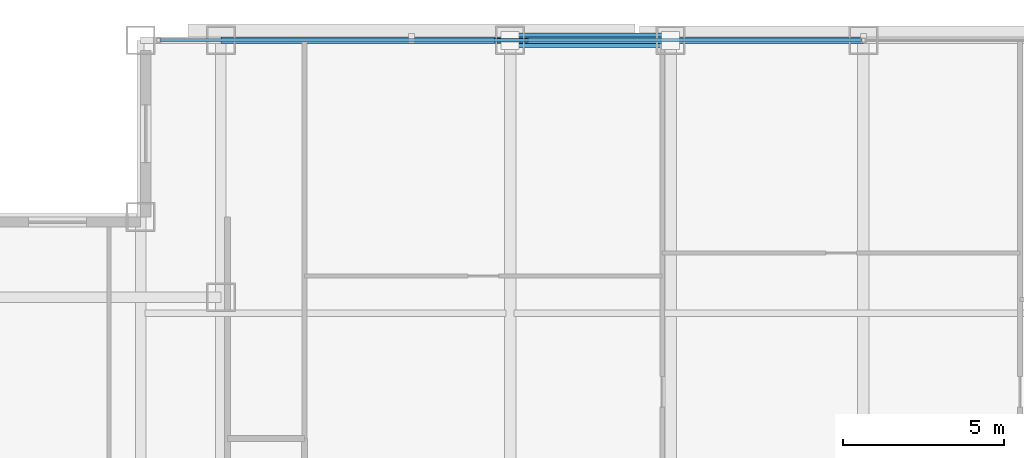
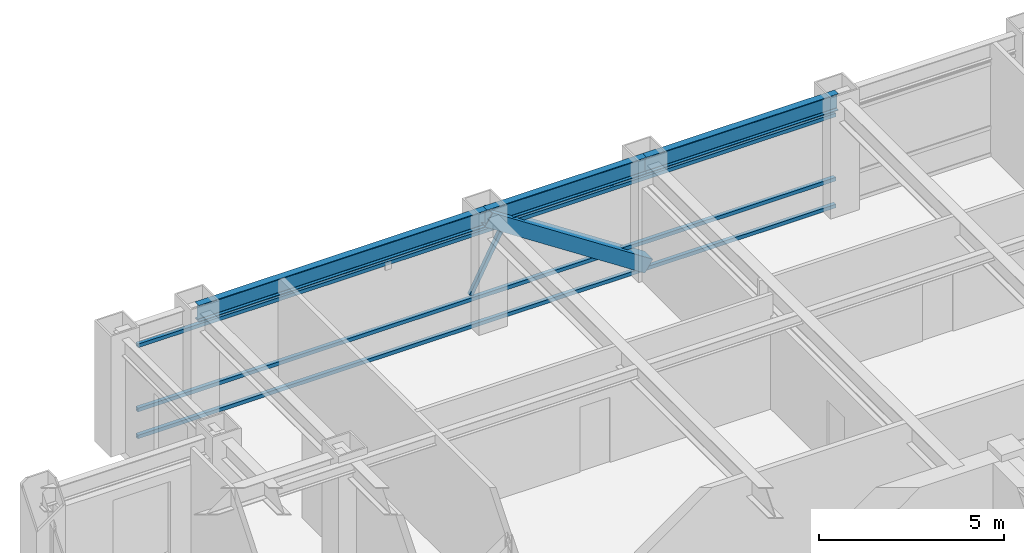
# One storey, part 13 of 27: 5 members, 3 beams, 1 element without a shape of its own.
"""IFC4 building model written with IfcOpenShell, lengths in metres."""

from ifc_helpers import new_model, si_unit, direction, frame, origin, origin_2d, place, context, subcontext, project, spatial, hollow_rectangle, i_section, extrude, source, transform, mapped, material, material_profile, profile_set, type_object, element, aggregate, save


model = new_model("IFC4")

# Units and contexts
model_context = context("Model", 3, precision=1e-05, world=origin(), true_north=direction((0.0, 1.0)))
body_context = subcontext(model_context, "Body", "Model", "MODEL_VIEW")
ifc_project = project(units=[si_unit("LENGTHUNIT", "METRE"), si_unit("AREAUNIT", "SQUARE_METRE"), si_unit("VOLUMEUNIT", "CUBIC_METRE"), si_unit("PLANEANGLEUNIT", "RADIAN"), si_unit("MASSUNIT", "GRAM", prefix="KILO")], contexts=[model_context])

# Site, building, storey
site_placement = place(None, origin())
site = spatial("IfcSite", under=ifc_project, at=site_placement, CompositionType="ELEMENT")
building_placement = place(site_placement, origin())
building = spatial("IfcBuilding", under=site, at=building_placement, Name="Khorayat Bourse Tower", CompositionType="ELEMENT")
storey_placement = place(building_placement, frame((0.0, 0.0, 285.5)))
storey = spatial("IfcBuildingStorey", under=building, at=storey_placement, Name="L67", CompositionType="ELEMENT", Elevation=285.5)

# Member
ifc_material_1 = material(Name="Steel EN 10025-4 S460M", Category="steel")
ifc_material_profile_1 = material_profile(ifc_material_1, hollow_rectangle(XDim=0.449951171875, YDim=0.449951171875, WallThickness=0.02490234375, at=origin_2d()), Name="HSS 450x450x25")
ifc_profile_set_1 = profile_set([ifc_material_profile_1], Name="Steel EN 10025-4 S460M")
member_type_1 = type_object("IfcMemberType", Name="MBR-TUBE-450", PredefinedType="BRACE", material=ifc_profile_set_1)
shared_shape_1 = source(origin(), body_context, "Body", "SweptSolid", [
    extrude(hollow_rectangle(XDim=0.449951171875, YDim=0.449951171875, WallThickness=0.02490234375, at=origin_2d()), origin(), (0.0, 0.0, 1.0), 5.979736328125),
])
member_1_placement = place(storey_placement, frame((-11.0, 28.0, 3.530029296875), z_axis=(0.836141536525, 0.0, -0.548513747227), x_axis=(0.0, 1.0, 0.0)))
element("IfcMember", 1, at=member_1_placement, inside=storey, type_object=member_type_1, Name="L67 Perimeter Tube Brace 03", PredefinedType="BRACE", context=body_context, shape_type="MappedRepresentation", body=[
    mapped(shared_shape_1, transform((0.0, 0.0, 0.0), scale=1.0)),
])

# Beams
ifc_material_2 = material(Name="Steel ASTM A992 Grade 50", Category="steel")
ifc_material_profile_2 = material_profile(ifc_material_2, i_section(OverallWidth=0.214111328125, OverallDepth=0.549072265625, WebThickness=0.0146484375, FlangeThickness=0.023681640625, FilletRadius=0.013916015625, at=origin_2d()), Name="W530X138")
ifc_profile_set_2 = profile_set([ifc_material_profile_2], Name="Steel ASTM A992 Grade 50")
beam_type = type_object("IfcBeamType", Name="BM-SPAN-530", PredefinedType="SPANDREL", material=ifc_profile_set_2)
shared_shape_2 = source(origin(), body_context, "Body", "SweptSolid", [
    extrude(i_section(OverallWidth=0.214111328125, OverallDepth=0.549072265625, WebThickness=0.0146484375, FlangeThickness=0.023681640625, FilletRadius=0.013916015625, at=origin_2d()), origin(), (0.0, 0.0, 1.0), 9.0),
])
beam_1_placement = place(storey_placement, frame((-20.0, 28.0, 3.505615234375), z_axis=(1.0, 0.0, 0.0), x_axis=(0.0, 1.0, 0.0)))
element("IfcBeam", 2, at=beam_1_placement, inside=storey, type_object=beam_type, Name="L67 BM-SPAN-530 BM-L67-SPN-050", PredefinedType="SPANDREL", context=body_context, shape_type="MappedRepresentation", body=[
    mapped(shared_shape_2, transform((0.0, 0.0, 0.0), scale=1.0)),
])
shared_shape_3 = source(origin(), body_context, "Body", "SweptSolid", [
    extrude(i_section(OverallWidth=0.214111328125, OverallDepth=0.549072265625, WebThickness=0.0146484375, FlangeThickness=0.023681640625, FilletRadius=0.013916015625, at=origin_2d()), origin(), (0.0, 0.0, 1.0), 5.0),
])
beam_2_placement = place(storey_placement, frame((-11.0, 28.0, 3.505615234375), z_axis=(1.0, 0.0, 0.0), x_axis=(0.0, 1.0, 0.0)))
element("IfcBeam", 3, at=beam_2_placement, inside=storey, type_object=beam_type, Name="L67 BM-SPAN-530 BM-L67-SPN-049", PredefinedType="SPANDREL", context=body_context, shape_type="MappedRepresentation", body=[
    mapped(shared_shape_3, transform((0.0, 0.0, 0.0), scale=1.0)),
])
shared_shape_4 = source(origin(), body_context, "Body", "SweptSolid", [
    extrude(i_section(OverallWidth=0.214111328125, OverallDepth=0.549072265625, WebThickness=0.0146484375, FlangeThickness=0.023681640625, FilletRadius=0.013916015625, at=origin_2d()), origin(), (0.0, 0.0, 1.0), 6.0),
])
beam_3_placement = place(storey_placement, frame((-6.0, 28.0, 3.505615234375), z_axis=(1.0, 0.0, 0.0), x_axis=(0.0, 1.0, 0.0)))
element("IfcBeam", 4, at=beam_3_placement, inside=storey, type_object=beam_type, Name="L67 BM-SPAN-530 BM-L67-SPN-048", PredefinedType="SPANDREL", context=body_context, shape_type="MappedRepresentation", body=[
    mapped(shared_shape_4, transform((0.0, 0.0, 0.0), scale=1.0)),
])

# Curtain wall, members
ifc_material_3 = material(Name="Aluminium EN AW-6063 T6", Category="aluminium")
curtain_wall_type = type_object("IfcCurtainWallType", Name="CW-SYS-04", PredefinedType="NOTDEFINED", material=ifc_material_3)
curtain_wall_placement = place(storey_placement, origin())
curtain_wall = element("IfcCurtainWall", 5, at=curtain_wall_placement, inside=storey, type_object=curtain_wall_type, Name="L67 Curtain Wall CW-L67-N1", PredefinedType="NOTDEFINED")
ifc_material_profile_3 = material_profile(ifc_material_3, hollow_rectangle(XDim=0.1201171875, YDim=0.1201171875, WallThickness=0.0048828125, at=origin_2d()), Name="ALU 120x120x5")
ifc_profile_set_3 = profile_set([ifc_material_profile_3], Name="Aluminium EN AW-6063 T6")
member_type_2 = type_object("IfcMemberType", Name="CWM-DIAG-120", PredefinedType="MULLION", material=ifc_profile_set_3)
shared_shape_5 = source(origin(), body_context, "Body", "SweptSolid", [
    extrude(hollow_rectangle(XDim=0.1201171875, YDim=0.1201171875, WallThickness=0.0048828125, at=origin_2d()), origin(), (0.0, 0.0, 1.0), 2.0791015625),
])
member_2_placement = place(storey_placement, frame((-11.4541015625, 28.0, 1.090087890625), z_axis=(0.465717394116, 0.0, 0.884933505309), x_axis=(0.0, 1.0, 0.0)))
member_2 = element("IfcMember", 6, at=member_2_placement, type_object=member_type_2, Name="CW-L67-N1 Faceted Diagonal Mullion 1", PredefinedType="MULLION", context=body_context, shape_type="MappedRepresentation", body=[
    mapped(shared_shape_5, transform((0.0, 0.0, 0.0), scale=1.0)),
])
ifc_material_profile_4 = material_profile(ifc_material_3, hollow_rectangle(XDim=0.1201171875, YDim=0.1201171875, WallThickness=0.0048828125, at=origin_2d()), Name="ALU 120x120x5")
ifc_profile_set_4 = profile_set([ifc_material_profile_4], Name="Aluminium EN AW-6063 T6")
member_type_3 = type_object("IfcMemberType", Name="CWT-HORZ-120", PredefinedType="USERDEFINED", material=ifc_profile_set_4)
shared_shape_6 = source(origin(), body_context, "Body", "SweptSolid", [
    extrude(hollow_rectangle(XDim=0.1201171875, YDim=0.1201171875, WallThickness=0.0048828125, at=origin_2d()), origin(), (0.0, 0.0, 1.0), 21.81982421875),
])
member_3_placement = place(storey_placement, frame((-21.8798828125, 28.0, 0.06005859375), z_axis=(1.0, 0.0, 0.0), x_axis=(0.0, 1.0, 0.0)))
member_3 = element("IfcMember", 7, at=member_3_placement, type_object=member_type_3, Name="CW-L67-N1 Horizontal Transom 1-1", ObjectType="TRANSOM", PredefinedType="USERDEFINED", context=body_context, shape_type="MappedRepresentation", body=[
    mapped(shared_shape_6, transform((0.0, 0.0, 0.0), scale=1.0)),
])
member_4_placement = place(storey_placement, frame((-21.8798828125, 28.0, 0.949951171875), z_axis=(1.0, 0.0, 0.0), x_axis=(0.0, 1.0, 0.0)))
member_4 = element("IfcMember", 8, at=member_4_placement, type_object=member_type_3, Name="CW-L67-N1 Horizontal Transom 1-2", ObjectType="TRANSOM", PredefinedType="USERDEFINED", context=body_context, shape_type="MappedRepresentation", body=[
    mapped(shared_shape_6, transform((0.0, 0.0, 0.0), scale=1.0)),
])
member_5_placement = place(storey_placement, frame((-21.8798828125, 28.0, 3.070068359375), z_axis=(1.0, 0.0, 0.0), x_axis=(0.0, 1.0, 0.0)))
member_5 = element("IfcMember", 9, at=member_5_placement, type_object=member_type_3, Name="CW-L67-N1 Horizontal Transom 1-3", ObjectType="TRANSOM", PredefinedType="USERDEFINED", context=body_context, shape_type="MappedRepresentation", body=[
    mapped(shared_shape_6, transform((0.0, 0.0, 0.0), scale=1.0)),
])
aggregate(curtain_wall, [member_3, member_4, member_5, member_2])

save(model, "model.ifc")
